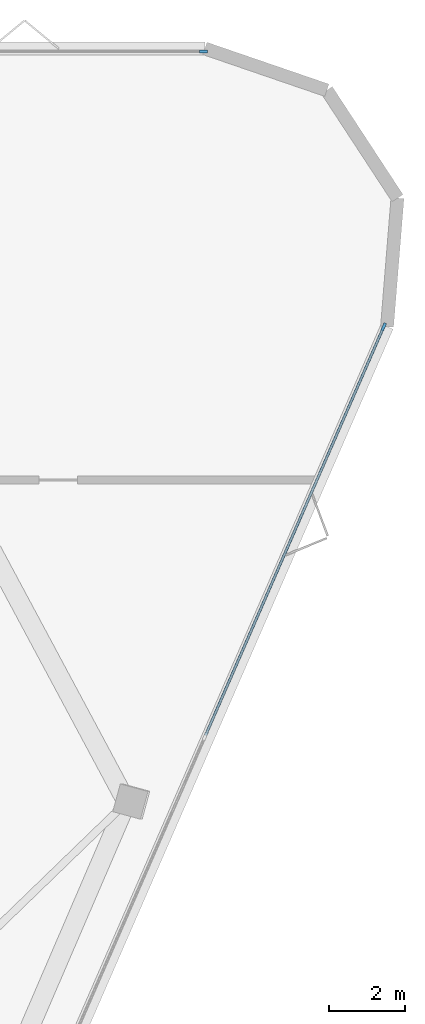
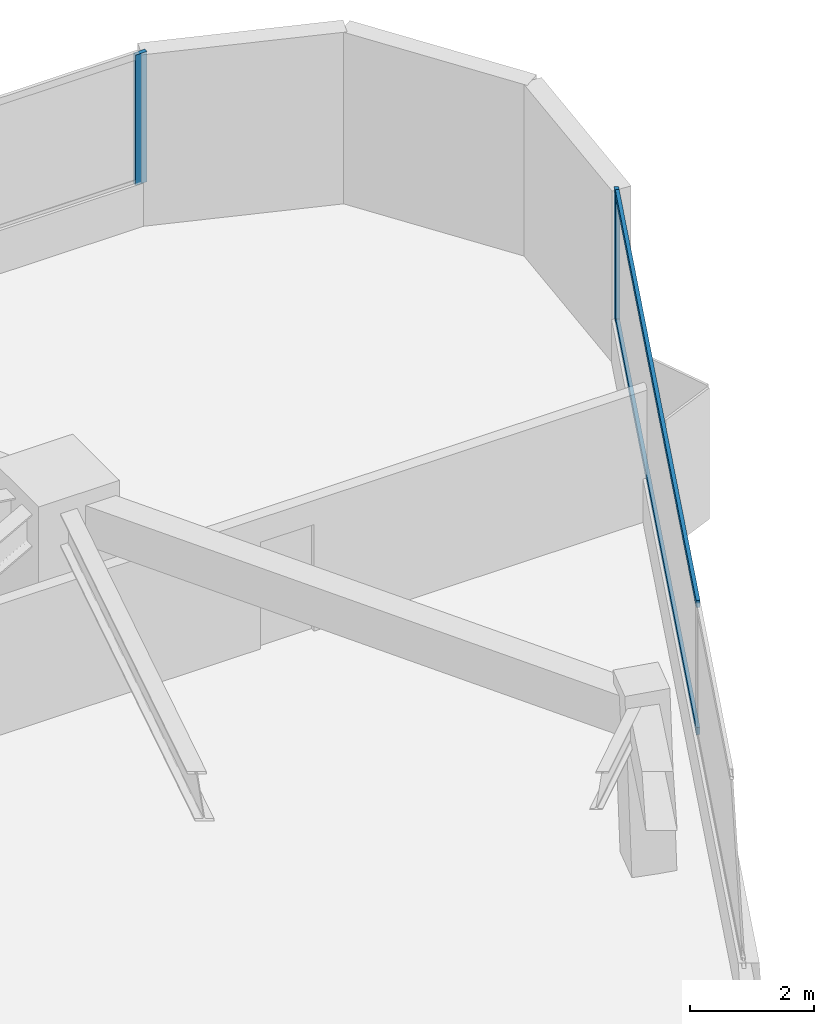
# One storey, part 7 of 11: 4 members, 2 elements without a shape of their own.
"""IFC4 building model written with IfcOpenShell, lengths in metres."""

from ifc_helpers import new_model, si_unit, direction, frame, origin, origin_2d, place, context, subcontext, project, spatial, rectangle, extrude, material, layer, layer_set, material_profile, profile_set, type_object, element, aggregate, save


model = new_model("IFC4")

# Units and contexts
model_context = context("Model", 3, precision=1e-05, world=origin(), true_north=direction((0.0, 1.0)))
body_context = subcontext(model_context, "Body", "Model", "MODEL_VIEW")
ifc_project = project(units=[si_unit("LENGTHUNIT", "METRE"), si_unit("AREAUNIT", "SQUARE_METRE"), si_unit("VOLUMEUNIT", "CUBIC_METRE"), si_unit("PLANEANGLEUNIT", "RADIAN"), si_unit("MASSUNIT", "GRAM", prefix="KILO")], contexts=[model_context])

# Site, building, storey
site_placement = place(None, origin())
site = spatial("IfcSite", under=ifc_project, at=site_placement, CompositionType="ELEMENT")
building_placement = place(site_placement, origin())
building = spatial("IfcBuilding", under=site, at=building_placement, Name="Talyreon Biosciences Tower", CompositionType="ELEMENT")
storey_placement = place(building_placement, frame((0.0, 0.0, 149.10009765625)))
storey = spatial("IfcBuildingStorey", under=building, at=storey_placement, Name="L39", CompositionType="ELEMENT", Elevation=149.10009765625)

# Curtain wall, member
ifc_material_1 = material(Name="Thermally broken aluminium and low-E glazing", Category="aluminium")
ifc_layer = layer(ifc_material_1, 0.205078125)
ifc_layer_set = layer_set([ifc_layer], Name="Thermally broken aluminium and low-E glazing")
curtain_wall_type = type_object("IfcCurtainWallType", Name="CurtainWall_SkyGardenLoggia", PredefinedType="NOTDEFINED", material=ifc_layer_set)
curtain_wall_1_placement = place(storey_placement, origin())
curtain_wall_1 = element("IfcCurtainWall", 1, at=curtain_wall_1_placement, inside=storey, type_object=curtain_wall_type, Name="L39 Unitised Curtain Wall FCW-L39-03", PredefinedType="NOTDEFINED")
ifc_material_2 = material(Name="Anodised thermally broken aluminium", Category="aluminium")
ifc_material_profile_1 = material_profile(ifc_material_2, rectangle(XDim=0.074951171875, YDim=0.2099609375, at=origin_2d()), Name="ALUM MULLION 75x210")
ifc_profile_set_1 = profile_set([ifc_material_profile_1], Name="Anodised thermally broken aluminium")
member_type_1 = type_object("IfcMemberType", Name="CWMullion_75x210", PredefinedType="MULLION", material=ifc_profile_set_1)
member_1_placement = place(storey_placement, frame((89.354736328125, 88.439453125, 0.809814453125), z_axis=(0.0, 0.0, 1.0), x_axis=(0.0, 1.0, 0.0)))
member_1 = element("IfcMember", 2, at=member_1_placement, type_object=member_type_1, Name="CW7 mullion 4", PredefinedType="MULLION", context=body_context, shape_type="SweptSolid", body=[
    extrude(rectangle(XDim=0.074951171875, YDim=0.2099609375, at=origin_2d()), origin(), (0.0, 0.0, 1.0), 2.565185546875),
])
aggregate(curtain_wall_1, [member_1])

# Curtain wall, members
curtain_wall_2_placement = place(storey_placement, origin())
curtain_wall_2 = element("IfcCurtainWall", 3, at=curtain_wall_2_placement, inside=storey, type_object=curtain_wall_type, Name="L39 Unitised Curtain Wall FCW-L39-07", PredefinedType="NOTDEFINED")
member_2_placement = place(storey_placement, frame((94.070556640625, 81.238525390625, 0.809814453125), z_axis=(0.0, 0.0, 1.0), x_axis=(0.916646919811, -0.399697916434, 0.0)))
member_2 = element("IfcMember", 4, at=member_2_placement, type_object=member_type_1, Name="CW7 mullion 1", PredefinedType="MULLION", context=body_context, shape_type="SweptSolid", body=[
    extrude(rectangle(XDim=0.074951171875, YDim=0.2099609375, at=origin_2d()), origin(), (0.0, 0.0, 1.0), 2.565185546875),
])
ifc_material_profile_2 = material_profile(ifc_material_2, rectangle(XDim=0.06494140625, YDim=0.139892578125, at=origin_2d()), Name="ALUM TRANSOM 65x140")
ifc_profile_set_2 = profile_set([ifc_material_profile_2], Name="Anodised thermally broken aluminium")
member_type_2 = type_object("IfcMemberType", Name="CWTransom_65x140", PredefinedType="USERDEFINED", material=ifc_profile_set_2)
member_3_placement = place(storey_placement, frame((94.0556640625, 81.2041015625, 0.84228515625), z_axis=(-0.399706304739, -0.916643262099, 0.0), x_axis=(0.916643262099, -0.399706304739, 0.0)))
member_3 = element("IfcMember", 5, at=member_3_placement, type_object=member_type_2, Name="CW7 transom 1.1", ObjectType="TRANSOM", PredefinedType="USERDEFINED", context=body_context, shape_type="SweptSolid", body=[
    extrude(rectangle(XDim=0.06494140625, YDim=0.139892578125, at=origin_2d()), origin(), (0.0, 0.0, 1.0), 11.61865234375),
])
member_4_placement = place(storey_placement, frame((94.0556640625, 81.2041015625, 3.34228515625), z_axis=(-0.399706304739, -0.916643262099, 0.0), x_axis=(0.916643262099, -0.399706304739, 0.0)))
member_4 = element("IfcMember", 6, at=member_4_placement, type_object=member_type_2, Name="CW7 transom 1.2", ObjectType="TRANSOM", PredefinedType="USERDEFINED", context=body_context, shape_type="SweptSolid", body=[
    extrude(rectangle(XDim=0.06494140625, YDim=0.139892578125, at=origin_2d()), origin(), (0.0, 0.0, 1.0), 11.61865234375),
])
aggregate(curtain_wall_2, [member_2, member_3, member_4])

save(model, "model.ifc")
